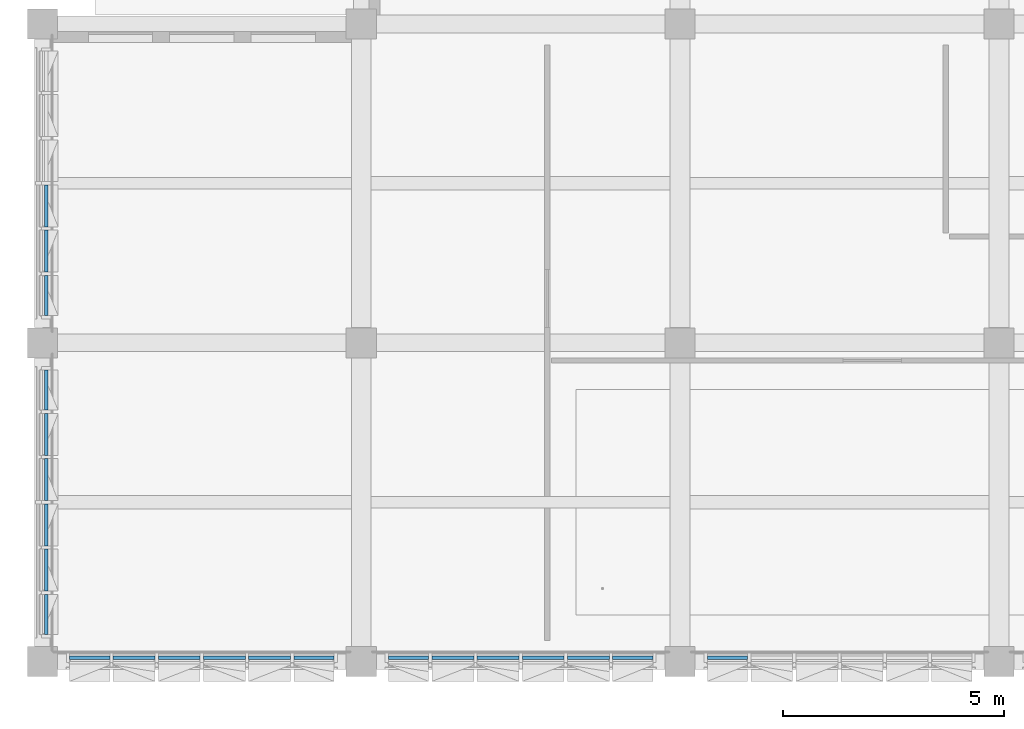
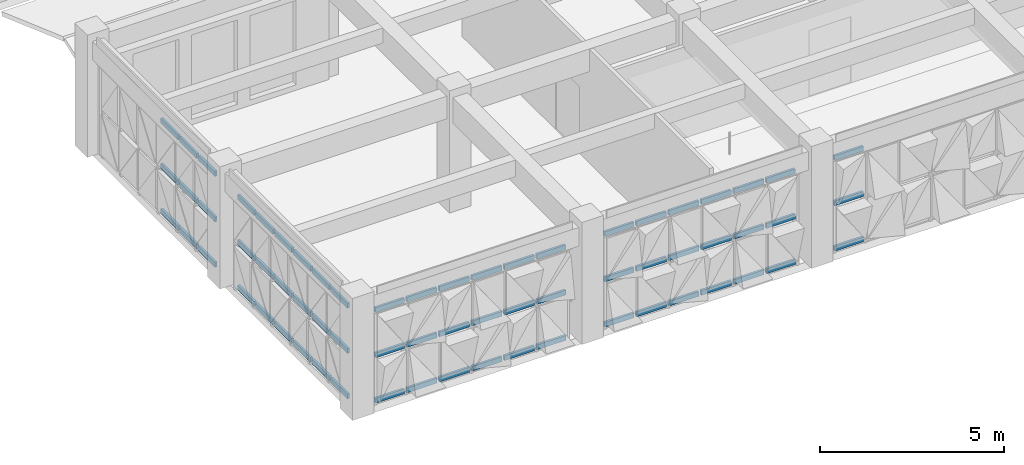
# One storey, part 18 of 88: 66 members, 5 elements without a shape of their own.
"""IFC4 building model written with IfcOpenShell, lengths in metres."""

from ifc_helpers import new_model, si_unit, direction, frame, origin, origin_2d, place, context, subcontext, project, spatial, rectangle, extrude, material, material_profile, profile_set, type_object, element, aggregate, save


model = new_model("IFC4")

# Units and contexts
model_context = context("Model", 3, precision=1e-05, world=origin(), true_north=direction((0.0, 1.0)))
body_context = subcontext(model_context, "Body", "Model", "MODEL_VIEW")
ifc_project = project(units=[si_unit("LENGTHUNIT", "METRE"), si_unit("AREAUNIT", "SQUARE_METRE"), si_unit("VOLUMEUNIT", "CUBIC_METRE"), si_unit("PLANEANGLEUNIT", "RADIAN"), si_unit("MASSUNIT", "GRAM", prefix="KILO")], contexts=[model_context])

# Site, building, storey
site_placement = place(None, origin())
site = spatial("IfcSite", under=ifc_project, at=site_placement, CompositionType="ELEMENT")
building_placement = place(site_placement, origin())
building = spatial("IfcBuilding", under=site, at=building_placement, Name="Alvorim Cloister Faculty of Sciences", CompositionType="ELEMENT")
storey_placement = place(building_placement, frame((0.0, 0.0, 4.5)))
storey = spatial("IfcBuildingStorey", under=building, at=storey_placement, Name="L01", CompositionType="ELEMENT", Elevation=4.5)

# Curtain wall, members
ifc_material_1 = material(Name="Aluminium and Low-E Glass Curtain Wall", Category="aluminium")
curtain_wall_type = type_object("IfcCurtainWallType", Name="CW-TRI-6120x3170", PredefinedType="USERDEFINED", material=ifc_material_1)
curtain_wall_1_placement = place(storey_placement, origin())
curtain_wall_1 = element("IfcCurtainWall", 1, at=curtain_wall_1_placement, inside=storey, type_object=curtain_wall_type, Name="L01 Diagonal Cassette Curtain Wall CW-0046", ObjectType="UNITISED CURTAIN WALL", PredefinedType="USERDEFINED")
ifc_material_2 = material(Name="Aluminium Alloy 6063-T6", Category="aluminium")
ifc_material_profile = material_profile(ifc_material_2, rectangle(XDim=0.074951171875, YDim=0.159912109375, at=origin_2d()), Name="ALU-TRN-75x160")
ifc_profile_set = profile_set([ifc_material_profile], Name="Aluminium Alloy 6063-T6")
member_type = type_object("IfcMemberType", Name="CW-TRN-75x160", PredefinedType="USERDEFINED", material=ifc_profile_set)
member_1_placement = place(storey_placement, frame((15.014892578125, 0.090087890625, 0.080078125), z_axis=(1.0, 0.0, 0.0), x_axis=(0.0, 1.0, 0.0)))
member_1 = element("IfcMember", 2, at=member_1_placement, type_object=member_type, Name="CW-0046 Transom 1.1", ObjectType="TRANSOM", PredefinedType="USERDEFINED", context=body_context, shape_type="SweptSolid", body=[
    extrude(rectangle(XDim=0.074951171875, YDim=0.159912109375, at=origin_2d()), origin(), (0.0, 0.0, 1.0), 0.90771484375),
])
member_2_placement = place(storey_placement, frame((15.014892578125, 0.090087890625, 1.5849609375), z_axis=(1.0, 0.0, 0.0), x_axis=(0.0, 1.0, 0.0)))
member_2 = element("IfcMember", 3, at=member_2_placement, type_object=member_type, Name="CW-0046 Transom 1.2", ObjectType="TRANSOM", PredefinedType="USERDEFINED", context=body_context, shape_type="SweptSolid", body=[
    extrude(rectangle(XDim=0.074951171875, YDim=0.159912109375, at=origin_2d()), origin(), (0.0, 0.0, 1.0), 0.90771484375),
])
member_3_placement = place(storey_placement, frame((15.014892578125, 0.090087890625, 3.090087890625), z_axis=(1.0, 0.0, 0.0), x_axis=(0.0, 1.0, 0.0)))
member_3 = element("IfcMember", 4, at=member_3_placement, type_object=member_type, Name="CW-0046 Transom 1.3", ObjectType="TRANSOM", PredefinedType="USERDEFINED", context=body_context, shape_type="SweptSolid", body=[
    extrude(rectangle(XDim=0.074951171875, YDim=0.159912109375, at=origin_2d()), origin(), (0.0, 0.0, 1.0), 0.90771484375),
])
aggregate(curtain_wall_1, [member_1, member_2, member_3])

curtain_wall_2_placement = place(storey_placement, origin())
curtain_wall_2 = element("IfcCurtainWall", 5, at=curtain_wall_2_placement, inside=storey, type_object=curtain_wall_type, Name="L01 Diagonal Cassette Curtain Wall CW-0047", ObjectType="UNITISED CURTAIN WALL", PredefinedType="USERDEFINED")
member_4_placement = place(storey_placement, frame((7.81494140625, 0.090087890625, 0.080078125), z_axis=(1.0, 0.0, 0.0), x_axis=(0.0, 1.0, 0.0)))
member_4 = element("IfcMember", 6, at=member_4_placement, type_object=member_type, Name="CW-0047 Transom 1.1", ObjectType="TRANSOM", PredefinedType="USERDEFINED", context=body_context, shape_type="SweptSolid", body=[
    extrude(rectangle(XDim=0.074951171875, YDim=0.159912109375, at=origin_2d()), origin(), (0.0, 0.0, 1.0), 0.907470703125),
])
member_5_placement = place(storey_placement, frame((7.81494140625, 0.090087890625, 1.5849609375), z_axis=(1.0, 0.0, 0.0), x_axis=(0.0, 1.0, 0.0)))
member_5 = element("IfcMember", 7, at=member_5_placement, type_object=member_type, Name="CW-0047 Transom 1.2", ObjectType="TRANSOM", PredefinedType="USERDEFINED", context=body_context, shape_type="SweptSolid", body=[
    extrude(rectangle(XDim=0.074951171875, YDim=0.159912109375, at=origin_2d()), origin(), (0.0, 0.0, 1.0), 0.907470703125),
])
member_6_placement = place(storey_placement, frame((7.81494140625, 0.090087890625, 3.090087890625), z_axis=(1.0, 0.0, 0.0), x_axis=(0.0, 1.0, 0.0)))
member_6 = element("IfcMember", 8, at=member_6_placement, type_object=member_type, Name="CW-0047 Transom 1.3", ObjectType="TRANSOM", PredefinedType="USERDEFINED", context=body_context, shape_type="SweptSolid", body=[
    extrude(rectangle(XDim=0.074951171875, YDim=0.159912109375, at=origin_2d()), origin(), (0.0, 0.0, 1.0), 0.907470703125),
])
member_7_placement = place(storey_placement, frame((8.797607421875, 0.090087890625, 0.080078125), z_axis=(1.0, 0.0, 0.0), x_axis=(0.0, 1.0, 0.0)))
member_7 = element("IfcMember", 9, at=member_7_placement, type_object=member_type, Name="CW-0047 Transom 2.1", ObjectType="TRANSOM", PredefinedType="USERDEFINED", context=body_context, shape_type="SweptSolid", body=[
    extrude(rectangle(XDim=0.074951171875, YDim=0.159912109375, at=origin_2d()), origin(), (0.0, 0.0, 1.0), 0.94482421875),
])
member_8_placement = place(storey_placement, frame((8.797607421875, 0.090087890625, 1.5849609375), z_axis=(1.0, 0.0, 0.0), x_axis=(0.0, 1.0, 0.0)))
member_8 = element("IfcMember", 10, at=member_8_placement, type_object=member_type, Name="CW-0047 Transom 2.2", ObjectType="TRANSOM", PredefinedType="USERDEFINED", context=body_context, shape_type="SweptSolid", body=[
    extrude(rectangle(XDim=0.074951171875, YDim=0.159912109375, at=origin_2d()), origin(), (0.0, 0.0, 1.0), 0.94482421875),
])
member_9_placement = place(storey_placement, frame((8.797607421875, 0.090087890625, 3.090087890625), z_axis=(1.0, 0.0, 0.0), x_axis=(0.0, 1.0, 0.0)))
member_9 = element("IfcMember", 11, at=member_9_placement, type_object=member_type, Name="CW-0047 Transom 2.3", ObjectType="TRANSOM", PredefinedType="USERDEFINED", context=body_context, shape_type="SweptSolid", body=[
    extrude(rectangle(XDim=0.074951171875, YDim=0.159912109375, at=origin_2d()), origin(), (0.0, 0.0, 1.0), 0.94482421875),
])
member_10_placement = place(storey_placement, frame((9.8173828125, 0.090087890625, 0.080078125), z_axis=(1.0, 0.0, 0.0), x_axis=(0.0, 1.0, 0.0)))
member_10 = element("IfcMember", 12, at=member_10_placement, type_object=member_type, Name="CW-0047 Transom 3.1", ObjectType="TRANSOM", PredefinedType="USERDEFINED", context=body_context, shape_type="SweptSolid", body=[
    extrude(rectangle(XDim=0.074951171875, YDim=0.159912109375, at=origin_2d()), origin(), (0.0, 0.0, 1.0), 0.945068359375),
])
member_11_placement = place(storey_placement, frame((9.8173828125, 0.090087890625, 1.5849609375), z_axis=(1.0, 0.0, 0.0), x_axis=(0.0, 1.0, 0.0)))
member_11 = element("IfcMember", 13, at=member_11_placement, type_object=member_type, Name="CW-0047 Transom 3.2", ObjectType="TRANSOM", PredefinedType="USERDEFINED", context=body_context, shape_type="SweptSolid", body=[
    extrude(rectangle(XDim=0.074951171875, YDim=0.159912109375, at=origin_2d()), origin(), (0.0, 0.0, 1.0), 0.945068359375),
])
member_12_placement = place(storey_placement, frame((9.8173828125, 0.090087890625, 3.090087890625), z_axis=(1.0, 0.0, 0.0), x_axis=(0.0, 1.0, 0.0)))
member_12 = element("IfcMember", 14, at=member_12_placement, type_object=member_type, Name="CW-0047 Transom 3.3", ObjectType="TRANSOM", PredefinedType="USERDEFINED", context=body_context, shape_type="SweptSolid", body=[
    extrude(rectangle(XDim=0.074951171875, YDim=0.159912109375, at=origin_2d()), origin(), (0.0, 0.0, 1.0), 0.945068359375),
])
member_13_placement = place(storey_placement, frame((10.83740234375, 0.090087890625, 0.080078125), z_axis=(1.0, 0.0, 0.0), x_axis=(0.0, 1.0, 0.0)))
member_13 = element("IfcMember", 15, at=member_13_placement, type_object=member_type, Name="CW-0047 Transom 4.1", ObjectType="TRANSOM", PredefinedType="USERDEFINED", context=body_context, shape_type="SweptSolid", body=[
    extrude(rectangle(XDim=0.074951171875, YDim=0.159912109375, at=origin_2d()), origin(), (0.0, 0.0, 1.0), 0.945068359375),
])
member_14_placement = place(storey_placement, frame((10.83740234375, 0.090087890625, 1.5849609375), z_axis=(1.0, 0.0, 0.0), x_axis=(0.0, 1.0, 0.0)))
member_14 = element("IfcMember", 16, at=member_14_placement, type_object=member_type, Name="CW-0047 Transom 4.2", ObjectType="TRANSOM", PredefinedType="USERDEFINED", context=body_context, shape_type="SweptSolid", body=[
    extrude(rectangle(XDim=0.074951171875, YDim=0.159912109375, at=origin_2d()), origin(), (0.0, 0.0, 1.0), 0.945068359375),
])
member_15_placement = place(storey_placement, frame((10.83740234375, 0.090087890625, 3.090087890625), z_axis=(1.0, 0.0, 0.0), x_axis=(0.0, 1.0, 0.0)))
member_15 = element("IfcMember", 17, at=member_15_placement, type_object=member_type, Name="CW-0047 Transom 4.3", ObjectType="TRANSOM", PredefinedType="USERDEFINED", context=body_context, shape_type="SweptSolid", body=[
    extrude(rectangle(XDim=0.074951171875, YDim=0.159912109375, at=origin_2d()), origin(), (0.0, 0.0, 1.0), 0.945068359375),
])
member_16_placement = place(storey_placement, frame((11.857421875, 0.090087890625, 0.080078125), z_axis=(1.0, 0.0, 0.0), x_axis=(0.0, 1.0, 0.0)))
member_16 = element("IfcMember", 18, at=member_16_placement, type_object=member_type, Name="CW-0047 Transom 5.1", ObjectType="TRANSOM", PredefinedType="USERDEFINED", context=body_context, shape_type="SweptSolid", body=[
    extrude(rectangle(XDim=0.074951171875, YDim=0.159912109375, at=origin_2d()), origin(), (0.0, 0.0, 1.0), 0.945068359375),
])
member_17_placement = place(storey_placement, frame((11.857421875, 0.090087890625, 1.5849609375), z_axis=(1.0, 0.0, 0.0), x_axis=(0.0, 1.0, 0.0)))
member_17 = element("IfcMember", 19, at=member_17_placement, type_object=member_type, Name="CW-0047 Transom 5.2", ObjectType="TRANSOM", PredefinedType="USERDEFINED", context=body_context, shape_type="SweptSolid", body=[
    extrude(rectangle(XDim=0.074951171875, YDim=0.159912109375, at=origin_2d()), origin(), (0.0, 0.0, 1.0), 0.945068359375),
])
member_18_placement = place(storey_placement, frame((11.857421875, 0.090087890625, 3.090087890625), z_axis=(1.0, 0.0, 0.0), x_axis=(0.0, 1.0, 0.0)))
member_18 = element("IfcMember", 20, at=member_18_placement, type_object=member_type, Name="CW-0047 Transom 5.3", ObjectType="TRANSOM", PredefinedType="USERDEFINED", context=body_context, shape_type="SweptSolid", body=[
    extrude(rectangle(XDim=0.074951171875, YDim=0.159912109375, at=origin_2d()), origin(), (0.0, 0.0, 1.0), 0.945068359375),
])
member_19_placement = place(storey_placement, frame((12.87744140625, 0.090087890625, 0.080078125), z_axis=(1.0, 0.0, 0.0), x_axis=(0.0, 1.0, 0.0)))
member_19 = element("IfcMember", 21, at=member_19_placement, type_object=member_type, Name="CW-0047 Transom 6.1", ObjectType="TRANSOM", PredefinedType="USERDEFINED", context=body_context, shape_type="SweptSolid", body=[
    extrude(rectangle(XDim=0.074951171875, YDim=0.159912109375, at=origin_2d()), origin(), (0.0, 0.0, 1.0), 0.907470703125),
])
member_20_placement = place(storey_placement, frame((12.87744140625, 0.090087890625, 1.5849609375), z_axis=(1.0, 0.0, 0.0), x_axis=(0.0, 1.0, 0.0)))
member_20 = element("IfcMember", 22, at=member_20_placement, type_object=member_type, Name="CW-0047 Transom 6.2", ObjectType="TRANSOM", PredefinedType="USERDEFINED", context=body_context, shape_type="SweptSolid", body=[
    extrude(rectangle(XDim=0.074951171875, YDim=0.159912109375, at=origin_2d()), origin(), (0.0, 0.0, 1.0), 0.907470703125),
])
member_21_placement = place(storey_placement, frame((12.87744140625, 0.090087890625, 3.090087890625), z_axis=(1.0, 0.0, 0.0), x_axis=(0.0, 1.0, 0.0)))
member_21 = element("IfcMember", 23, at=member_21_placement, type_object=member_type, Name="CW-0047 Transom 6.3", ObjectType="TRANSOM", PredefinedType="USERDEFINED", context=body_context, shape_type="SweptSolid", body=[
    extrude(rectangle(XDim=0.074951171875, YDim=0.159912109375, at=origin_2d()), origin(), (0.0, 0.0, 1.0), 0.907470703125),
])
aggregate(curtain_wall_2, [member_4, member_5, member_6, member_7, member_8, member_9, member_10, member_11, member_12, member_13, member_14, member_15, member_16, member_17, member_18, member_19, member_20, member_21])

curtain_wall_3_placement = place(storey_placement, origin())
curtain_wall_3 = element("IfcCurtainWall", 24, at=curtain_wall_3_placement, inside=storey, type_object=curtain_wall_type, Name="L01 Diagonal Cassette Curtain Wall CW-0048", ObjectType="UNITISED CURTAIN WALL", PredefinedType="USERDEFINED")
member_22_placement = place(storey_placement, frame((0.614990234375, 0.090087890625, 0.080078125), z_axis=(1.0, 0.0, 0.0), x_axis=(0.0, 1.0, 0.0)))
member_22 = element("IfcMember", 25, at=member_22_placement, type_object=member_type, Name="CW-0048 Transom 1.1", ObjectType="TRANSOM", PredefinedType="USERDEFINED", context=body_context, shape_type="SweptSolid", body=[
    extrude(rectangle(XDim=0.074951171875, YDim=0.159912109375, at=origin_2d()), origin(), (0.0, 0.0, 1.0), 0.907470703125),
])
member_23_placement = place(storey_placement, frame((0.614990234375, 0.090087890625, 1.5849609375), z_axis=(1.0, 0.0, 0.0), x_axis=(0.0, 1.0, 0.0)))
member_23 = element("IfcMember", 26, at=member_23_placement, type_object=member_type, Name="CW-0048 Transom 1.2", ObjectType="TRANSOM", PredefinedType="USERDEFINED", context=body_context, shape_type="SweptSolid", body=[
    extrude(rectangle(XDim=0.074951171875, YDim=0.159912109375, at=origin_2d()), origin(), (0.0, 0.0, 1.0), 0.907470703125),
])
member_24_placement = place(storey_placement, frame((0.614990234375, 0.090087890625, 3.090087890625), z_axis=(1.0, 0.0, 0.0), x_axis=(0.0, 1.0, 0.0)))
member_24 = element("IfcMember", 27, at=member_24_placement, type_object=member_type, Name="CW-0048 Transom 1.3", ObjectType="TRANSOM", PredefinedType="USERDEFINED", context=body_context, shape_type="SweptSolid", body=[
    extrude(rectangle(XDim=0.074951171875, YDim=0.159912109375, at=origin_2d()), origin(), (0.0, 0.0, 1.0), 0.907470703125),
])
member_25_placement = place(storey_placement, frame((1.597412109375, 0.090087890625, 0.080078125), z_axis=(1.0, 0.0, 0.0), x_axis=(0.0, 1.0, 0.0)))
member_25 = element("IfcMember", 28, at=member_25_placement, type_object=member_type, Name="CW-0048 Transom 2.1", ObjectType="TRANSOM", PredefinedType="USERDEFINED", context=body_context, shape_type="SweptSolid", body=[
    extrude(rectangle(XDim=0.074951171875, YDim=0.159912109375, at=origin_2d()), origin(), (0.0, 0.0, 1.0), 0.945068359375),
])
member_26_placement = place(storey_placement, frame((1.597412109375, 0.090087890625, 1.5849609375), z_axis=(1.0, 0.0, 0.0), x_axis=(0.0, 1.0, 0.0)))
member_26 = element("IfcMember", 29, at=member_26_placement, type_object=member_type, Name="CW-0048 Transom 2.2", ObjectType="TRANSOM", PredefinedType="USERDEFINED", context=body_context, shape_type="SweptSolid", body=[
    extrude(rectangle(XDim=0.074951171875, YDim=0.159912109375, at=origin_2d()), origin(), (0.0, 0.0, 1.0), 0.945068359375),
])
member_27_placement = place(storey_placement, frame((1.597412109375, 0.090087890625, 3.090087890625), z_axis=(1.0, 0.0, 0.0), x_axis=(0.0, 1.0, 0.0)))
member_27 = element("IfcMember", 30, at=member_27_placement, type_object=member_type, Name="CW-0048 Transom 2.3", ObjectType="TRANSOM", PredefinedType="USERDEFINED", context=body_context, shape_type="SweptSolid", body=[
    extrude(rectangle(XDim=0.074951171875, YDim=0.159912109375, at=origin_2d()), origin(), (0.0, 0.0, 1.0), 0.945068359375),
])
member_28_placement = place(storey_placement, frame((2.617431640625, 0.090087890625, 0.080078125), z_axis=(1.0, 0.0, 0.0), x_axis=(0.0, 1.0, 0.0)))
member_28 = element("IfcMember", 31, at=member_28_placement, type_object=member_type, Name="CW-0048 Transom 3.1", ObjectType="TRANSOM", PredefinedType="USERDEFINED", context=body_context, shape_type="SweptSolid", body=[
    extrude(rectangle(XDim=0.074951171875, YDim=0.159912109375, at=origin_2d()), origin(), (0.0, 0.0, 1.0), 0.945068359375),
])
member_29_placement = place(storey_placement, frame((2.617431640625, 0.090087890625, 1.5849609375), z_axis=(1.0, 0.0, 0.0), x_axis=(0.0, 1.0, 0.0)))
member_29 = element("IfcMember", 32, at=member_29_placement, type_object=member_type, Name="CW-0048 Transom 3.2", ObjectType="TRANSOM", PredefinedType="USERDEFINED", context=body_context, shape_type="SweptSolid", body=[
    extrude(rectangle(XDim=0.074951171875, YDim=0.159912109375, at=origin_2d()), origin(), (0.0, 0.0, 1.0), 0.945068359375),
])
member_30_placement = place(storey_placement, frame((2.617431640625, 0.090087890625, 3.090087890625), z_axis=(1.0, 0.0, 0.0), x_axis=(0.0, 1.0, 0.0)))
member_30 = element("IfcMember", 33, at=member_30_placement, type_object=member_type, Name="CW-0048 Transom 3.3", ObjectType="TRANSOM", PredefinedType="USERDEFINED", context=body_context, shape_type="SweptSolid", body=[
    extrude(rectangle(XDim=0.074951171875, YDim=0.159912109375, at=origin_2d()), origin(), (0.0, 0.0, 1.0), 0.945068359375),
])
member_31_placement = place(storey_placement, frame((3.637451171875, 0.090087890625, 0.080078125), z_axis=(1.0, 0.0, 0.0), x_axis=(0.0, 1.0, 0.0)))
member_31 = element("IfcMember", 34, at=member_31_placement, type_object=member_type, Name="CW-0048 Transom 4.1", ObjectType="TRANSOM", PredefinedType="USERDEFINED", context=body_context, shape_type="SweptSolid", body=[
    extrude(rectangle(XDim=0.074951171875, YDim=0.159912109375, at=origin_2d()), origin(), (0.0, 0.0, 1.0), 0.945068359375),
])
member_32_placement = place(storey_placement, frame((3.637451171875, 0.090087890625, 1.5849609375), z_axis=(1.0, 0.0, 0.0), x_axis=(0.0, 1.0, 0.0)))
member_32 = element("IfcMember", 35, at=member_32_placement, type_object=member_type, Name="CW-0048 Transom 4.2", ObjectType="TRANSOM", PredefinedType="USERDEFINED", context=body_context, shape_type="SweptSolid", body=[
    extrude(rectangle(XDim=0.074951171875, YDim=0.159912109375, at=origin_2d()), origin(), (0.0, 0.0, 1.0), 0.945068359375),
])
member_33_placement = place(storey_placement, frame((3.637451171875, 0.090087890625, 3.090087890625), z_axis=(1.0, 0.0, 0.0), x_axis=(0.0, 1.0, 0.0)))
member_33 = element("IfcMember", 36, at=member_33_placement, type_object=member_type, Name="CW-0048 Transom 4.3", ObjectType="TRANSOM", PredefinedType="USERDEFINED", context=body_context, shape_type="SweptSolid", body=[
    extrude(rectangle(XDim=0.074951171875, YDim=0.159912109375, at=origin_2d()), origin(), (0.0, 0.0, 1.0), 0.945068359375),
])
member_34_placement = place(storey_placement, frame((4.657470703125, 0.090087890625, 0.080078125), z_axis=(1.0, 0.0, 0.0), x_axis=(0.0, 1.0, 0.0)))
member_34 = element("IfcMember", 37, at=member_34_placement, type_object=member_type, Name="CW-0048 Transom 5.1", ObjectType="TRANSOM", PredefinedType="USERDEFINED", context=body_context, shape_type="SweptSolid", body=[
    extrude(rectangle(XDim=0.074951171875, YDim=0.159912109375, at=origin_2d()), origin(), (0.0, 0.0, 1.0), 0.945068359375),
])
member_35_placement = place(storey_placement, frame((4.657470703125, 0.090087890625, 1.5849609375), z_axis=(1.0, 0.0, 0.0), x_axis=(0.0, 1.0, 0.0)))
member_35 = element("IfcMember", 38, at=member_35_placement, type_object=member_type, Name="CW-0048 Transom 5.2", ObjectType="TRANSOM", PredefinedType="USERDEFINED", context=body_context, shape_type="SweptSolid", body=[
    extrude(rectangle(XDim=0.074951171875, YDim=0.159912109375, at=origin_2d()), origin(), (0.0, 0.0, 1.0), 0.945068359375),
])
member_36_placement = place(storey_placement, frame((4.657470703125, 0.090087890625, 3.090087890625), z_axis=(1.0, 0.0, 0.0), x_axis=(0.0, 1.0, 0.0)))
member_36 = element("IfcMember", 39, at=member_36_placement, type_object=member_type, Name="CW-0048 Transom 5.3", ObjectType="TRANSOM", PredefinedType="USERDEFINED", context=body_context, shape_type="SweptSolid", body=[
    extrude(rectangle(XDim=0.074951171875, YDim=0.159912109375, at=origin_2d()), origin(), (0.0, 0.0, 1.0), 0.945068359375),
])
member_37_placement = place(storey_placement, frame((5.677490234375, 0.090087890625, 0.080078125), z_axis=(1.0, 0.0, 0.0), x_axis=(0.0, 1.0, 0.0)))
member_37 = element("IfcMember", 40, at=member_37_placement, type_object=member_type, Name="CW-0048 Transom 6.1", ObjectType="TRANSOM", PredefinedType="USERDEFINED", context=body_context, shape_type="SweptSolid", body=[
    extrude(rectangle(XDim=0.074951171875, YDim=0.159912109375, at=origin_2d()), origin(), (0.0, 0.0, 1.0), 0.907470703125),
])
member_38_placement = place(storey_placement, frame((5.677490234375, 0.090087890625, 1.5849609375), z_axis=(1.0, 0.0, 0.0), x_axis=(0.0, 1.0, 0.0)))
member_38 = element("IfcMember", 41, at=member_38_placement, type_object=member_type, Name="CW-0048 Transom 6.2", ObjectType="TRANSOM", PredefinedType="USERDEFINED", context=body_context, shape_type="SweptSolid", body=[
    extrude(rectangle(XDim=0.074951171875, YDim=0.159912109375, at=origin_2d()), origin(), (0.0, 0.0, 1.0), 0.907470703125),
])
member_39_placement = place(storey_placement, frame((5.677490234375, 0.090087890625, 3.090087890625), z_axis=(1.0, 0.0, 0.0), x_axis=(0.0, 1.0, 0.0)))
member_39 = element("IfcMember", 42, at=member_39_placement, type_object=member_type, Name="CW-0048 Transom 6.3", ObjectType="TRANSOM", PredefinedType="USERDEFINED", context=body_context, shape_type="SweptSolid", body=[
    extrude(rectangle(XDim=0.074951171875, YDim=0.159912109375, at=origin_2d()), origin(), (0.0, 0.0, 1.0), 0.907470703125),
])
aggregate(curtain_wall_3, [member_22, member_23, member_24, member_25, member_26, member_27, member_28, member_29, member_30, member_31, member_32, member_33, member_34, member_35, member_36, member_37, member_38, member_39])

curtain_wall_4_placement = place(storey_placement, origin())
curtain_wall_4 = element("IfcCurtainWall", 43, at=curtain_wall_4_placement, inside=storey, type_object=curtain_wall_type, Name="L01 Diagonal Cassette Curtain Wall CW-0049", ObjectType="UNITISED CURTAIN WALL", PredefinedType="USERDEFINED")
member_40_placement = place(storey_placement, frame((0.090087890625, 0.614990234375, 0.080078125), z_axis=(0.0, 1.0, 0.0), x_axis=(-1.0, 0.0, 0.0)))
member_40 = element("IfcMember", 44, at=member_40_placement, type_object=member_type, Name="CW-0049 Transom 1.1", ObjectType="TRANSOM", PredefinedType="USERDEFINED", context=body_context, shape_type="SweptSolid", body=[
    extrude(rectangle(XDim=0.074951171875, YDim=0.159912109375, at=origin_2d()), origin(), (0.0, 0.0, 1.0), 0.907470703125),
])
member_41_placement = place(storey_placement, frame((0.090087890625, 0.614990234375, 1.5849609375), z_axis=(0.0, 1.0, 0.0), x_axis=(-1.0, 0.0, 0.0)))
member_41 = element("IfcMember", 45, at=member_41_placement, type_object=member_type, Name="CW-0049 Transom 1.2", ObjectType="TRANSOM", PredefinedType="USERDEFINED", context=body_context, shape_type="SweptSolid", body=[
    extrude(rectangle(XDim=0.074951171875, YDim=0.159912109375, at=origin_2d()), origin(), (0.0, 0.0, 1.0), 0.907470703125),
])
member_42_placement = place(storey_placement, frame((0.090087890625, 0.614990234375, 3.090087890625), z_axis=(0.0, 1.0, 0.0), x_axis=(-1.0, 0.0, 0.0)))
member_42 = element("IfcMember", 46, at=member_42_placement, type_object=member_type, Name="CW-0049 Transom 1.3", ObjectType="TRANSOM", PredefinedType="USERDEFINED", context=body_context, shape_type="SweptSolid", body=[
    extrude(rectangle(XDim=0.074951171875, YDim=0.159912109375, at=origin_2d()), origin(), (0.0, 0.0, 1.0), 0.907470703125),
])
member_43_placement = place(storey_placement, frame((0.090087890625, 1.597412109375, 0.080078125), z_axis=(0.0, 1.0, 0.0), x_axis=(-1.0, 0.0, 0.0)))
member_43 = element("IfcMember", 47, at=member_43_placement, type_object=member_type, Name="CW-0049 Transom 2.1", ObjectType="TRANSOM", PredefinedType="USERDEFINED", context=body_context, shape_type="SweptSolid", body=[
    extrude(rectangle(XDim=0.074951171875, YDim=0.159912109375, at=origin_2d()), origin(), (0.0, 0.0, 1.0), 0.945068359375),
])
member_44_placement = place(storey_placement, frame((0.090087890625, 1.597412109375, 1.5849609375), z_axis=(0.0, 1.0, 0.0), x_axis=(-1.0, 0.0, 0.0)))
member_44 = element("IfcMember", 48, at=member_44_placement, type_object=member_type, Name="CW-0049 Transom 2.2", ObjectType="TRANSOM", PredefinedType="USERDEFINED", context=body_context, shape_type="SweptSolid", body=[
    extrude(rectangle(XDim=0.074951171875, YDim=0.159912109375, at=origin_2d()), origin(), (0.0, 0.0, 1.0), 0.945068359375),
])
member_45_placement = place(storey_placement, frame((0.090087890625, 1.597412109375, 3.090087890625), z_axis=(0.0, 1.0, 0.0), x_axis=(-1.0, 0.0, 0.0)))
member_45 = element("IfcMember", 49, at=member_45_placement, type_object=member_type, Name="CW-0049 Transom 2.3", ObjectType="TRANSOM", PredefinedType="USERDEFINED", context=body_context, shape_type="SweptSolid", body=[
    extrude(rectangle(XDim=0.074951171875, YDim=0.159912109375, at=origin_2d()), origin(), (0.0, 0.0, 1.0), 0.945068359375),
])
member_46_placement = place(storey_placement, frame((0.090087890625, 2.617431640625, 0.080078125), z_axis=(0.0, 1.0, 0.0), x_axis=(-1.0, 0.0, 0.0)))
member_46 = element("IfcMember", 50, at=member_46_placement, type_object=member_type, Name="CW-0049 Transom 3.1", ObjectType="TRANSOM", PredefinedType="USERDEFINED", context=body_context, shape_type="SweptSolid", body=[
    extrude(rectangle(XDim=0.074951171875, YDim=0.159912109375, at=origin_2d()), origin(), (0.0, 0.0, 1.0), 0.945068359375),
])
member_47_placement = place(storey_placement, frame((0.090087890625, 2.617431640625, 1.5849609375), z_axis=(0.0, 1.0, 0.0), x_axis=(-1.0, 0.0, 0.0)))
member_47 = element("IfcMember", 51, at=member_47_placement, type_object=member_type, Name="CW-0049 Transom 3.2", ObjectType="TRANSOM", PredefinedType="USERDEFINED", context=body_context, shape_type="SweptSolid", body=[
    extrude(rectangle(XDim=0.074951171875, YDim=0.159912109375, at=origin_2d()), origin(), (0.0, 0.0, 1.0), 0.945068359375),
])
member_48_placement = place(storey_placement, frame((0.090087890625, 2.617431640625, 3.090087890625), z_axis=(0.0, 1.0, 0.0), x_axis=(-1.0, 0.0, 0.0)))
member_48 = element("IfcMember", 52, at=member_48_placement, type_object=member_type, Name="CW-0049 Transom 3.3", ObjectType="TRANSOM", PredefinedType="USERDEFINED", context=body_context, shape_type="SweptSolid", body=[
    extrude(rectangle(XDim=0.074951171875, YDim=0.159912109375, at=origin_2d()), origin(), (0.0, 0.0, 1.0), 0.945068359375),
])
member_49_placement = place(storey_placement, frame((0.090087890625, 3.637451171875, 0.080078125), z_axis=(0.0, 1.0, 0.0), x_axis=(-1.0, 0.0, 0.0)))
member_49 = element("IfcMember", 53, at=member_49_placement, type_object=member_type, Name="CW-0049 Transom 4.1", ObjectType="TRANSOM", PredefinedType="USERDEFINED", context=body_context, shape_type="SweptSolid", body=[
    extrude(rectangle(XDim=0.074951171875, YDim=0.159912109375, at=origin_2d()), origin(), (0.0, 0.0, 1.0), 0.945068359375),
])
member_50_placement = place(storey_placement, frame((0.090087890625, 3.637451171875, 1.5849609375), z_axis=(0.0, 1.0, 0.0), x_axis=(-1.0, 0.0, 0.0)))
member_50 = element("IfcMember", 54, at=member_50_placement, type_object=member_type, Name="CW-0049 Transom 4.2", ObjectType="TRANSOM", PredefinedType="USERDEFINED", context=body_context, shape_type="SweptSolid", body=[
    extrude(rectangle(XDim=0.074951171875, YDim=0.159912109375, at=origin_2d()), origin(), (0.0, 0.0, 1.0), 0.945068359375),
])
member_51_placement = place(storey_placement, frame((0.090087890625, 3.637451171875, 3.090087890625), z_axis=(0.0, 1.0, 0.0), x_axis=(-1.0, 0.0, 0.0)))
member_51 = element("IfcMember", 55, at=member_51_placement, type_object=member_type, Name="CW-0049 Transom 4.3", ObjectType="TRANSOM", PredefinedType="USERDEFINED", context=body_context, shape_type="SweptSolid", body=[
    extrude(rectangle(XDim=0.074951171875, YDim=0.159912109375, at=origin_2d()), origin(), (0.0, 0.0, 1.0), 0.945068359375),
])
member_52_placement = place(storey_placement, frame((0.090087890625, 4.657470703125, 0.080078125), z_axis=(0.0, 1.0, 0.0), x_axis=(-1.0, 0.0, 0.0)))
member_52 = element("IfcMember", 56, at=member_52_placement, type_object=member_type, Name="CW-0049 Transom 5.1", ObjectType="TRANSOM", PredefinedType="USERDEFINED", context=body_context, shape_type="SweptSolid", body=[
    extrude(rectangle(XDim=0.074951171875, YDim=0.159912109375, at=origin_2d()), origin(), (0.0, 0.0, 1.0), 0.945068359375),
])
member_53_placement = place(storey_placement, frame((0.090087890625, 4.657470703125, 1.5849609375), z_axis=(0.0, 1.0, 0.0), x_axis=(-1.0, 0.0, 0.0)))
member_53 = element("IfcMember", 57, at=member_53_placement, type_object=member_type, Name="CW-0049 Transom 5.2", ObjectType="TRANSOM", PredefinedType="USERDEFINED", context=body_context, shape_type="SweptSolid", body=[
    extrude(rectangle(XDim=0.074951171875, YDim=0.159912109375, at=origin_2d()), origin(), (0.0, 0.0, 1.0), 0.945068359375),
])
member_54_placement = place(storey_placement, frame((0.090087890625, 4.657470703125, 3.090087890625), z_axis=(0.0, 1.0, 0.0), x_axis=(-1.0, 0.0, 0.0)))
member_54 = element("IfcMember", 58, at=member_54_placement, type_object=member_type, Name="CW-0049 Transom 5.3", ObjectType="TRANSOM", PredefinedType="USERDEFINED", context=body_context, shape_type="SweptSolid", body=[
    extrude(rectangle(XDim=0.074951171875, YDim=0.159912109375, at=origin_2d()), origin(), (0.0, 0.0, 1.0), 0.945068359375),
])
member_55_placement = place(storey_placement, frame((0.090087890625, 5.677490234375, 0.080078125), z_axis=(0.0, 1.0, 0.0), x_axis=(-1.0, 0.0, 0.0)))
member_55 = element("IfcMember", 59, at=member_55_placement, type_object=member_type, Name="CW-0049 Transom 6.1", ObjectType="TRANSOM", PredefinedType="USERDEFINED", context=body_context, shape_type="SweptSolid", body=[
    extrude(rectangle(XDim=0.074951171875, YDim=0.159912109375, at=origin_2d()), origin(), (0.0, 0.0, 1.0), 0.907470703125),
])
member_56_placement = place(storey_placement, frame((0.090087890625, 5.677490234375, 1.5849609375), z_axis=(0.0, 1.0, 0.0), x_axis=(-1.0, 0.0, 0.0)))
member_56 = element("IfcMember", 60, at=member_56_placement, type_object=member_type, Name="CW-0049 Transom 6.2", ObjectType="TRANSOM", PredefinedType="USERDEFINED", context=body_context, shape_type="SweptSolid", body=[
    extrude(rectangle(XDim=0.074951171875, YDim=0.159912109375, at=origin_2d()), origin(), (0.0, 0.0, 1.0), 0.907470703125),
])
member_57_placement = place(storey_placement, frame((0.090087890625, 5.677490234375, 3.090087890625), z_axis=(0.0, 1.0, 0.0), x_axis=(-1.0, 0.0, 0.0)))
member_57 = element("IfcMember", 61, at=member_57_placement, type_object=member_type, Name="CW-0049 Transom 6.3", ObjectType="TRANSOM", PredefinedType="USERDEFINED", context=body_context, shape_type="SweptSolid", body=[
    extrude(rectangle(XDim=0.074951171875, YDim=0.159912109375, at=origin_2d()), origin(), (0.0, 0.0, 1.0), 0.907470703125),
])
aggregate(curtain_wall_4, [member_40, member_41, member_42, member_43, member_44, member_45, member_46, member_47, member_48, member_49, member_50, member_51, member_52, member_53, member_54, member_55, member_56, member_57])

curtain_wall_5_placement = place(storey_placement, origin())
curtain_wall_5 = element("IfcCurtainWall", 62, at=curtain_wall_5_placement, inside=storey, type_object=curtain_wall_type, Name="L01 Diagonal Cassette Curtain Wall CW-0050", ObjectType="UNITISED CURTAIN WALL", PredefinedType="USERDEFINED")
member_58_placement = place(storey_placement, frame((0.090087890625, 7.81494140625, 0.080078125), z_axis=(0.0, 1.0, 0.0), x_axis=(-1.0, 0.0, 0.0)))
member_58 = element("IfcMember", 63, at=member_58_placement, type_object=member_type, Name="CW-0050 Transom 1.1", ObjectType="TRANSOM", PredefinedType="USERDEFINED", context=body_context, shape_type="SweptSolid", body=[
    extrude(rectangle(XDim=0.074951171875, YDim=0.159912109375, at=origin_2d()), origin(), (0.0, 0.0, 1.0), 0.907470703125),
])
member_59_placement = place(storey_placement, frame((0.090087890625, 7.81494140625, 1.5849609375), z_axis=(0.0, 1.0, 0.0), x_axis=(-1.0, 0.0, 0.0)))
member_59 = element("IfcMember", 64, at=member_59_placement, type_object=member_type, Name="CW-0050 Transom 1.2", ObjectType="TRANSOM", PredefinedType="USERDEFINED", context=body_context, shape_type="SweptSolid", body=[
    extrude(rectangle(XDim=0.074951171875, YDim=0.159912109375, at=origin_2d()), origin(), (0.0, 0.0, 1.0), 0.907470703125),
])
member_60_placement = place(storey_placement, frame((0.090087890625, 7.81494140625, 3.090087890625), z_axis=(0.0, 1.0, 0.0), x_axis=(-1.0, 0.0, 0.0)))
member_60 = element("IfcMember", 65, at=member_60_placement, type_object=member_type, Name="CW-0050 Transom 1.3", ObjectType="TRANSOM", PredefinedType="USERDEFINED", context=body_context, shape_type="SweptSolid", body=[
    extrude(rectangle(XDim=0.074951171875, YDim=0.159912109375, at=origin_2d()), origin(), (0.0, 0.0, 1.0), 0.907470703125),
])
member_61_placement = place(storey_placement, frame((0.090087890625, 8.797607421875, 0.080078125), z_axis=(0.0, 1.0, 0.0), x_axis=(-1.0, 0.0, 0.0)))
member_61 = element("IfcMember", 66, at=member_61_placement, type_object=member_type, Name="CW-0050 Transom 2.1", ObjectType="TRANSOM", PredefinedType="USERDEFINED", context=body_context, shape_type="SweptSolid", body=[
    extrude(rectangle(XDim=0.074951171875, YDim=0.159912109375, at=origin_2d()), origin(), (0.0, 0.0, 1.0), 0.94482421875),
])
member_62_placement = place(storey_placement, frame((0.090087890625, 8.797607421875, 1.5849609375), z_axis=(0.0, 1.0, 0.0), x_axis=(-1.0, 0.0, 0.0)))
member_62 = element("IfcMember", 67, at=member_62_placement, type_object=member_type, Name="CW-0050 Transom 2.2", ObjectType="TRANSOM", PredefinedType="USERDEFINED", context=body_context, shape_type="SweptSolid", body=[
    extrude(rectangle(XDim=0.074951171875, YDim=0.159912109375, at=origin_2d()), origin(), (0.0, 0.0, 1.0), 0.94482421875),
])
member_63_placement = place(storey_placement, frame((0.090087890625, 8.797607421875, 3.090087890625), z_axis=(0.0, 1.0, 0.0), x_axis=(-1.0, 0.0, 0.0)))
member_63 = element("IfcMember", 68, at=member_63_placement, type_object=member_type, Name="CW-0050 Transom 2.3", ObjectType="TRANSOM", PredefinedType="USERDEFINED", context=body_context, shape_type="SweptSolid", body=[
    extrude(rectangle(XDim=0.074951171875, YDim=0.159912109375, at=origin_2d()), origin(), (0.0, 0.0, 1.0), 0.94482421875),
])
member_64_placement = place(storey_placement, frame((0.090087890625, 9.8173828125, 0.080078125), z_axis=(0.0, 1.0, 0.0), x_axis=(-1.0, 0.0, 0.0)))
member_64 = element("IfcMember", 69, at=member_64_placement, type_object=member_type, Name="CW-0050 Transom 3.1", ObjectType="TRANSOM", PredefinedType="USERDEFINED", context=body_context, shape_type="SweptSolid", body=[
    extrude(rectangle(XDim=0.074951171875, YDim=0.159912109375, at=origin_2d()), origin(), (0.0, 0.0, 1.0), 0.945068359375),
])
member_65_placement = place(storey_placement, frame((0.090087890625, 9.8173828125, 1.5849609375), z_axis=(0.0, 1.0, 0.0), x_axis=(-1.0, 0.0, 0.0)))
member_65 = element("IfcMember", 70, at=member_65_placement, type_object=member_type, Name="CW-0050 Transom 3.2", ObjectType="TRANSOM", PredefinedType="USERDEFINED", context=body_context, shape_type="SweptSolid", body=[
    extrude(rectangle(XDim=0.074951171875, YDim=0.159912109375, at=origin_2d()), origin(), (0.0, 0.0, 1.0), 0.945068359375),
])
member_66_placement = place(storey_placement, frame((0.090087890625, 9.8173828125, 3.090087890625), z_axis=(0.0, 1.0, 0.0), x_axis=(-1.0, 0.0, 0.0)))
member_66 = element("IfcMember", 71, at=member_66_placement, type_object=member_type, Name="CW-0050 Transom 3.3", ObjectType="TRANSOM", PredefinedType="USERDEFINED", context=body_context, shape_type="SweptSolid", body=[
    extrude(rectangle(XDim=0.074951171875, YDim=0.159912109375, at=origin_2d()), origin(), (0.0, 0.0, 1.0), 0.945068359375),
])
aggregate(curtain_wall_5, [member_58, member_59, member_60, member_61, member_62, member_63, member_64, member_65, member_66])

save(model, "model.ifc")
